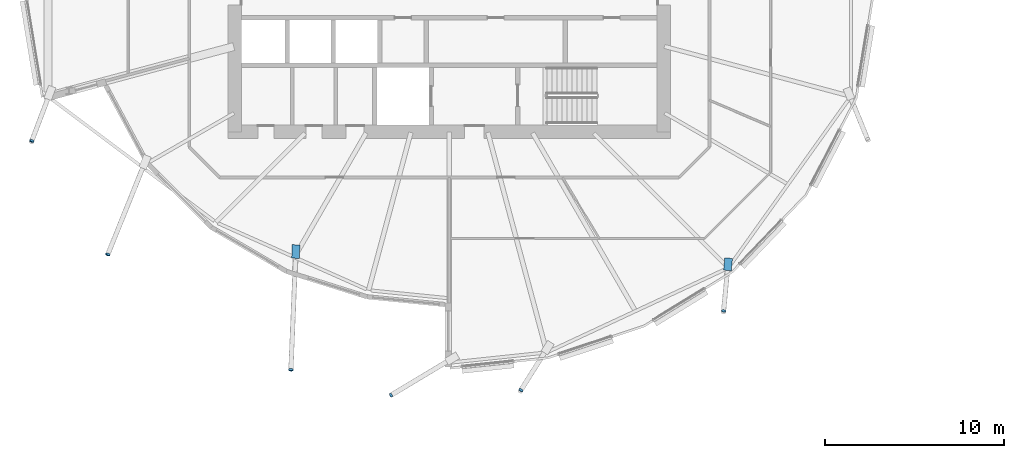
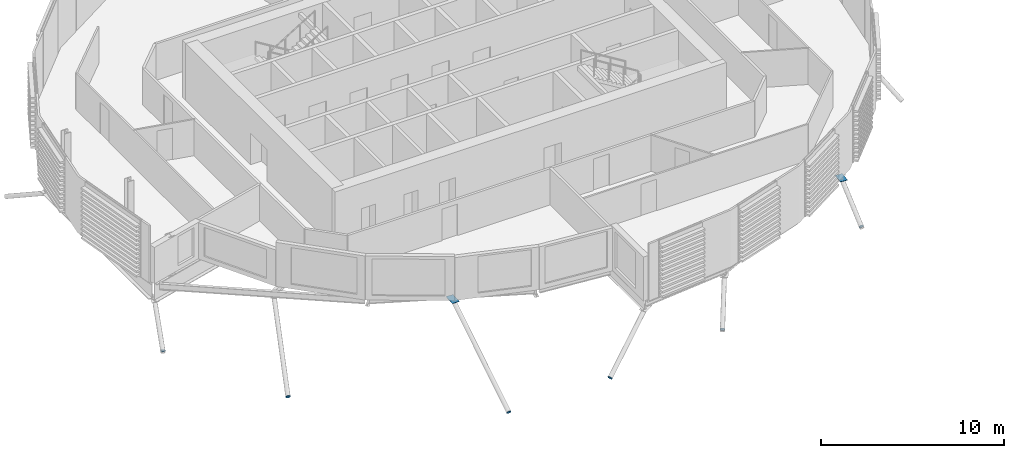
# One storey, part 28 of 40: 8 discrete accessories.
"""IFC4 building model written with IfcOpenShell, lengths in metres."""

from ifc_helpers import new_model, si_unit, direction, frame, origin, origin_2d, place, context, subcontext, project, spatial, polyline, rectangle, circle, outline, extrude, material, material_profile, profile_set, type_object, element, save


model = new_model("IFC4")

# Units and contexts
model_context = context("Model", 3, precision=1e-05, world=origin(), true_north=direction((0.0, 1.0)))
body_context = subcontext(model_context, "Body", "Model", "MODEL_VIEW")
ifc_project = project(units=[si_unit("LENGTHUNIT", "METRE"), si_unit("AREAUNIT", "SQUARE_METRE"), si_unit("VOLUMEUNIT", "CUBIC_METRE"), si_unit("PLANEANGLEUNIT", "RADIAN"), si_unit("MASSUNIT", "GRAM", prefix="KILO")], contexts=[model_context])

# Site, building, storey
site_placement = place(None, origin())
site = spatial("IfcSite", under=ifc_project, at=site_placement, CompositionType="ELEMENT")
building_placement = place(site_placement, origin())
building = spatial("IfcBuilding", under=site, at=building_placement, Name="Rimbun Link Towers", CompositionType="ELEMENT")
storey_placement = place(building_placement, frame((0.0, 0.0, 89.199951171875)))
storey = spatial("IfcBuildingStorey", under=building, at=storey_placement, Name="L21", CompositionType="ELEMENT", Elevation=89.199951171875)

# Discrete accessories
ifc_material_1 = material(Name="Steel S355J2H", Category="steel")
ifc_material_profile_1 = material_profile(ifc_material_1, circle(Radius=0.1240234375, at=origin_2d()), Name="PL D248")
ifc_profile_set_1 = profile_set([ifc_material_profile_1], Name="Steel S355J2H")
discrete_accessory_type_1 = type_object("IfcDiscreteAccessoryType", Name="Link foot sealing plate D248X20", PredefinedType="BRACKET", material=ifc_profile_set_1)
for number, where, z_axis, x_axis, name in (
    (1, (-55.1064453125, -8.508544921875, -2.877685546875), (-0.316602665693, -0.828037741044, -0.462726972936), (0.934051834851, -0.357137466267, 0.0), "Link foot sealing plate T1 L21 13"),
    (2, (-50.8544921875, -14.85888671875, -3.578857421875), (-0.327495343388, -0.824803087053, -0.460919372176), (0.929416313261, -0.369032947912, 0.0), "Link foot sealing plate T1 L21 14"),
    (3, (-40.615234375, -21.30615234375, -4.292236328125), (-0.036428590015, -0.886429023688, -0.461428806851), (0.999156632001, -0.041061231452, 0.0), "Link foot sealing plate T1 L21 16"),
):
    element("IfcDiscreteAccessory", number, at=place(storey_placement, frame(where, z_axis=z_axis, x_axis=x_axis)), inside=storey, type_object=discrete_accessory_type_1, Name=name, PredefinedType="BRACKET", context=body_context, shape_type="SweptSolid", body=[
        extrude(circle(Radius=0.1240234375, at=origin_2d()), origin(), (0.0, 0.0, 1.0), 0.02001953125),
    ])
for number, where, z_axis, x_axis, name in (
    (4, (-35.011962890625, -22.7275390625, -3.093994140625), (-0.751142776324, -0.448262624581, -0.48460824279), (0.512457509479, -0.858712583452, 0.0), "Link foot sealing plate T1 L21 18"),
    (5, (-27.744384765625, -22.443359375, -2.57373046875), (-0.460546857286, -0.727179248346, -0.509025473842), (0.844819075554, -0.535052081184, 0.0), "Link foot sealing plate T1 L21 19"),
):
    element("IfcDiscreteAccessory", number, at=place(storey_placement, frame(where, z_axis=z_axis, x_axis=x_axis)), inside=storey, type_object=discrete_accessory_type_1, Name=name, PredefinedType="BRACKET", context=body_context, shape_type="SweptSolid", body=[
        extrude(circle(Radius=0.1240234375, at=origin_2d()), origin(), (0.0, 0.0, 1.0), 0.020263671875),
    ])
discrete_accessory_1_placement = place(storey_placement, frame((-16.410888671875, -18.012451171875, -2.34130859375), z_axis=(-0.073301666614, -0.855186110494, -0.513111666296), x_axis=(0.996346649042, -0.085401141346, 0.0)))
element("IfcDiscreteAccessory", 6, at=discrete_accessory_1_placement, inside=storey, type_object=discrete_accessory_type_1, Name="Link foot sealing plate T1 L21 21", PredefinedType="BRACKET", context=body_context, shape_type="SweptSolid", body=[
    extrude(circle(Radius=0.1240234375, at=origin_2d()), origin(), (0.0, 0.0, 1.0), 0.02001953125),
])
ifc_material_2 = material(Name="Steel S355J2H", Category="steel")
ifc_material_profile_2 = material_profile(ifc_material_2, rectangle(XDim=0.43310546875, YDim=0.43310546875, at=origin_2d()), Name="PL 433x433")
ifc_profile_set_2 = profile_set([ifc_material_profile_2], Name="Steel S355J2H")
discrete_accessory_type_2 = type_object("IfcDiscreteAccessoryType", Name="Link head end plate 433X20", PredefinedType="BRACKET", material=ifc_profile_set_2)
discrete_accessory_2_placement = place(storey_placement, frame((0.0, 0.0, -0.863525390625)))
element("IfcDiscreteAccessory", 7, at=discrete_accessory_2_placement, inside=storey, type_object=discrete_accessory_type_2, Name="Link head end plate T1 L21 16", PredefinedType="BRACKET", context=body_context, shape_type="SweptSolid", body=[
    extrude(outline(polyline([(-40.541259765625, -14.31103515625), (-40.572509765625, -15.063720703125), (-40.139892578125, -15.081787109375), (-40.108642578125, -14.3291015625), (-40.541259765625, -14.31103515625)])), origin(), (0.0, 0.0, 1.0), 0.02001953125),
])
discrete_accessory_3_placement = place(storey_placement, frame((0.0, 0.0, -0.782470703125)))
element("IfcDiscreteAccessory", 8, at=discrete_accessory_3_placement, inside=storey, type_object=discrete_accessory_type_2, Name="Link head end plate T1 L21 21", PredefinedType="BRACKET", context=body_context, shape_type="SweptSolid", body=[
    extrude(outline(polyline([(-16.345947265625, -15.04345703125), (-16.41162109375, -15.733642578125), (-15.98046875, -15.774658203125), (-15.914794921875, -15.08447265625), (-16.345947265625, -15.04345703125)])), origin(), (0.0, 0.0, 1.0), 0.02001953125),
])

save(model, "model.ifc")
